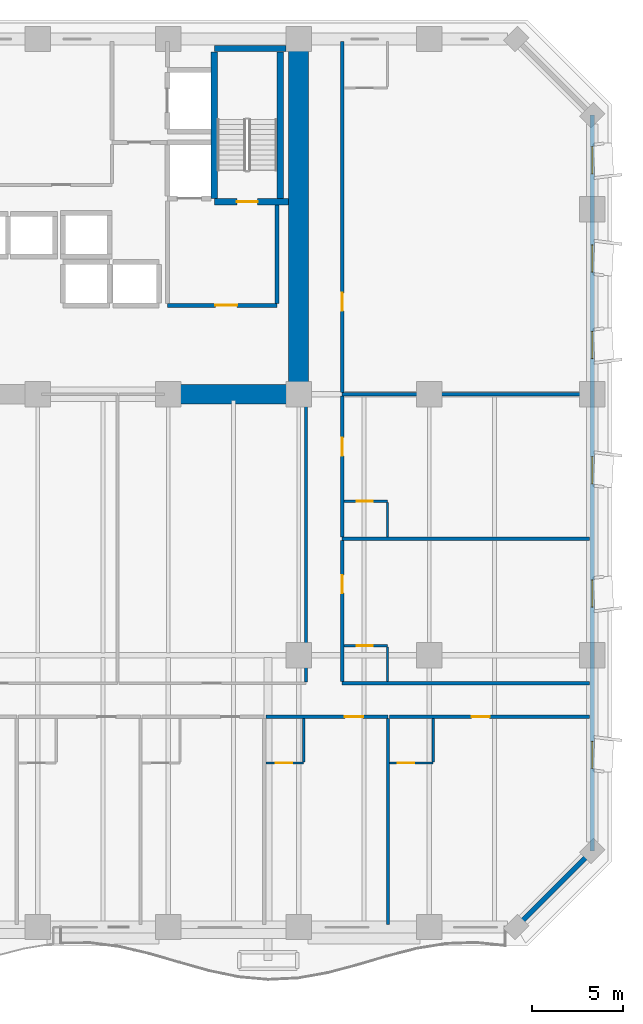
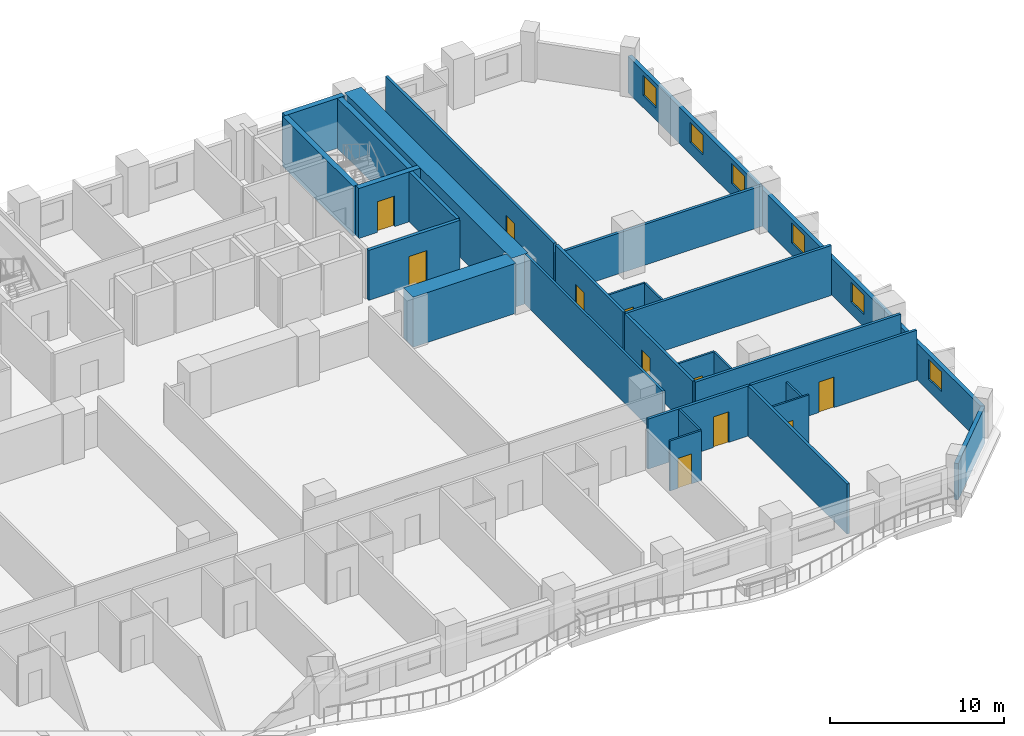
# One storey, part 10 of 15: 28 walls, 11 doors, 6 windows, 17 openings.
"""IFC4 building model written with IfcOpenShell, lengths in metres."""

from ifc_helpers import new_model, si_unit, direction, frame, frame_2d, origin, place, context, subcontext, project, spatial, rectangle, extrude, material, layer, layer_set, type_object, element, fill, save


model = new_model("IFC4")

# Units and contexts
model_context = context("Model", 3, precision=1e-05, world=origin(), true_north=direction((0.0, 1.0)))
body_context = subcontext(model_context, "Body", "Model", "MODEL_VIEW")
ifc_project = project(units=[si_unit("LENGTHUNIT", "METRE"), si_unit("AREAUNIT", "SQUARE_METRE"), si_unit("VOLUMEUNIT", "CUBIC_METRE"), si_unit("PLANEANGLEUNIT", "RADIAN"), si_unit("MASSUNIT", "GRAM", prefix="KILO")], contexts=[model_context])

# Site, building, storey
site_placement = place(None, origin())
site = spatial("IfcSite", under=ifc_project, at=site_placement, CompositionType="ELEMENT")
building_placement = place(site_placement, origin())
building = spatial("IfcBuilding", under=site, at=building_placement, Name="Kaelvorn Grand Hotel", CompositionType="ELEMENT")
storey_placement = place(building_placement, frame((0.0, 0.0, 53.89990234375)))
storey = spatial("IfcBuildingStorey", under=building, at=storey_placement, Name="L11", CompositionType="ELEMENT", Elevation=53.89990234375)

# Walls
ifc_material_1 = material(Name="Concrete C80/95", Category="concrete")
ifc_layer_1 = layer(ifc_material_1, 1.10009765625)
ifc_layer_set_1 = layer_set([ifc_layer_1], Name="Concrete C80/95")
wall_type_1 = type_object("IfcWallType", Name="WL-CORE-1100-C80", PredefinedType="SHEAR", material=ifc_layer_set_1)
wall_1_placement = place(storey_placement, frame((67.800048828125, 29.39990234375, 0.0), z_axis=(0.0, 0.0, 1.0), x_axis=(0.0, 1.0, 0.0)))
element("IfcWall", 1, at=wall_1_placement, inside=storey, type_object=wall_type_1, Name="L11 Rear-Core East Shear Wall", PredefinedType="SHEAR", context=body_context, shape_type="SweptSolid", body=[
    extrude(rectangle(XDim=19.2001953125, YDim=1.10009765625, at=frame_2d((9.60009765625, 0.0))), origin(), (0.0, 0.0, 1.0), 3.510009765625),
])
wall_2_placement = place(storey_placement, frame((60.39990234375, 29.39990234375, 0.0), z_axis=(0.0, 0.0, 1.0), x_axis=(1.0, 0.0, 0.0)))
element("IfcWall", 2, at=wall_2_placement, inside=storey, type_object=wall_type_1, Name="L11 Rear-Core Coupled Shear Pier S4", PredefinedType="SHEAR", context=body_context, shape_type="SweptSolid", body=[
    extrude(rectangle(XDim=6.84521484375, YDim=1.10009765625, at=frame_2d((3.422607421875, 0.0))), origin(), (0.0, 0.0, 1.0), 3.510009765625),
])
ifc_material_2 = material(Name="Concrete C40/50", Category="concrete")
ifc_layer_2 = layer(ifc_material_2, 0.260009765625)
ifc_layer_set_2 = layer_set([ifc_layer_2], Name="Concrete C40/50")
wall_type_2 = type_object("IfcWallType", Name="WL-EXT-260-C40", PredefinedType="SOLIDWALL", material=ifc_layer_set_2)
wall_3_placement = place(storey_placement, frame((79.800048828125, 0.0, 0.0), z_axis=(0.0, 0.0, 1.0), x_axis=(0.707106781187, 0.707106781187, 0.0)))
element("IfcWall", 3, at=wall_3_placement, inside=storey, type_object=wall_type_2, Name="L11 Exterior Architectural Concrete Wall 02", PredefinedType="SOLIDWALL", context=body_context, shape_type="SweptSolid", body=[
    extrude(rectangle(XDim=5.939697265625, YDim=0.260009765625, at=frame_2d((2.9697265625, 0.0))), origin(), (0.0, 0.0, 1.0), 2.56005859375),
])

# Wall, openings, windows
wall_4_placement = place(storey_placement, frame((84.0, 4.199951171875, 0.0), z_axis=(0.0, 0.0, 1.0), x_axis=(0.0, 1.0, 0.0)))
wall_4 = element("IfcWall", 4, at=wall_4_placement, inside=storey, type_object=wall_type_2, Name="L11 Exterior Architectural Concrete Wall 03", PredefinedType="SOLIDWALL", context=body_context, shape_type="SweptSolid", body=[
    extrude(rectangle(XDim=40.60009765625, YDim=0.260009765625, at=frame_2d((20.300048828125, 0.0))), origin(), (0.0, 0.0, 1.0), 2.56005859375),
])
opening_1_placement = place(wall_4_placement, frame((4.550048828125, 0.0, 0.85009765625)))
opening_1 = element("IfcOpeningElement", 5, at=opening_1_placement, cuts=wall_4, Name="Opening W10", PredefinedType="OPENING", context=body_context, shape_type="SweptSolid", body=[
    extrude(rectangle(XDim=1.5, YDim=1.39990234375, at=frame_2d((0.75, 0.699951171875))), frame((0.0, 0.14013671875, 0.0), z_axis=(0.0, -1.0, 0.0), x_axis=(1.0, 0.0, 0.0)), (0.0, 0.0, 1.0), 0.280029296875),
])
opening_2_placement = place(wall_4_placement, frame((13.4599609375, 0.0, 0.85009765625)))
opening_2 = element("IfcOpeningElement", 6, at=opening_2_placement, cuts=wall_4, Name="Opening W10", PredefinedType="OPENING", context=body_context, shape_type="SweptSolid", body=[
    extrude(rectangle(XDim=1.5, YDim=1.39990234375, at=frame_2d((0.75, 0.699951171875))), frame((0.0, 0.14013671875, 0.0), z_axis=(0.0, -1.0, 0.0), x_axis=(1.0, 0.0, 0.0)), (0.0, 0.0, 1.0), 0.280029296875),
])
opening_3_placement = place(wall_4_placement, frame((20.260009765625, 0.0, 0.85009765625)))
opening_3 = element("IfcOpeningElement", 7, at=opening_3_placement, cuts=wall_4, Name="Opening W10", PredefinedType="OPENING", context=body_context, shape_type="SweptSolid", body=[
    extrude(rectangle(XDim=1.5, YDim=1.39990234375, at=frame_2d((0.75, 0.699951171875))), frame((0.0, 0.14013671875, 0.0), z_axis=(0.0, -1.0, 0.0), x_axis=(1.0, 0.0, 0.0)), (0.0, 0.0, 1.0), 0.280029296875),
])
opening_4_placement = place(wall_4_placement, frame((27.1650390625, 0.0, 0.85009765625)))
opening_4 = element("IfcOpeningElement", 8, at=opening_4_placement, cuts=wall_4, Name="Opening W10", PredefinedType="OPENING", context=body_context, shape_type="SweptSolid", body=[
    extrude(rectangle(XDim=1.5, YDim=1.39990234375, at=frame_2d((0.75, 0.699951171875))), frame((0.0, 0.14013671875, 0.0), z_axis=(0.0, -1.0, 0.0), x_axis=(1.0, 0.0, 0.0)), (0.0, 0.0, 1.0), 0.280029296875),
])
opening_5_placement = place(wall_4_placement, frame((31.93505859375, 0.0, 0.85009765625)))
opening_5 = element("IfcOpeningElement", 9, at=opening_5_placement, cuts=wall_4, Name="Opening W10", PredefinedType="OPENING", context=body_context, shape_type="SweptSolid", body=[
    extrude(rectangle(XDim=1.5, YDim=1.39990234375, at=frame_2d((0.75, 0.699951171875))), frame((0.0, 0.14013671875, 0.0), z_axis=(0.0, -1.0, 0.0), x_axis=(1.0, 0.0, 0.0)), (0.0, 0.0, 1.0), 0.280029296875),
])
opening_6_placement = place(wall_4_placement, frame((37.364990234375, 0.0, 0.85009765625)))
opening_6 = element("IfcOpeningElement", 10, at=opening_6_placement, cuts=wall_4, Name="Opening W10", PredefinedType="OPENING", context=body_context, shape_type="SweptSolid", body=[
    extrude(rectangle(XDim=1.5, YDim=1.39990234375, at=frame_2d((0.75, 0.699951171875))), frame((0.0, 0.14013671875, 0.0), z_axis=(0.0, -1.0, 0.0), x_axis=(1.0, 0.0, 0.0)), (0.0, 0.0, 1.0), 0.280029296875),
])
ifc_material_3 = material(Name="Laminated Low-E Glass", Category="glass")
window_type = type_object("IfcWindowType", Name="WIN-COR-1500x1400", PartitioningType="SINGLE_PANEL", PredefinedType="WINDOW", material=ifc_material_3)
window_1_placement = place(opening_1_placement, origin())
window_1 = element("IfcWindow", 11, at=window_1_placement, inside=storey, type_object=window_type, Name="L11 E Wing Tilted-Frame Ribbon Window E01", OverallHeight=1.39990234375, OverallWidth=1.5, PartitioningType="SINGLE_PANEL", PredefinedType="WINDOW", context=body_context, shape_type="SweptSolid", body=[
    extrude(rectangle(XDim=1.5, YDim=1.39990234375, at=frame_2d((0.75, 0.699951171875))), frame((0.0, 0.030029296875, 0.0), z_axis=(0.0, -1.0, 0.0), x_axis=(1.0, 0.0, 0.0)), (0.0, 0.0, 1.0), 0.06005859375),
])
fill(opening_1, window_1)
window_2_placement = place(opening_2_placement, origin())
window_2 = element("IfcWindow", 12, at=window_2_placement, inside=storey, type_object=window_type, Name="L11 E Wing Tilted-Frame Ribbon Window E02", OverallHeight=1.39990234375, OverallWidth=1.5, PartitioningType="SINGLE_PANEL", PredefinedType="WINDOW", context=body_context, shape_type="SweptSolid", body=[
    extrude(rectangle(XDim=1.5, YDim=1.39990234375, at=frame_2d((0.75, 0.699951171875))), frame((0.0, 0.030029296875, 0.0), z_axis=(0.0, -1.0, 0.0), x_axis=(1.0, 0.0, 0.0)), (0.0, 0.0, 1.0), 0.06005859375),
])
fill(opening_2, window_2)
window_3_placement = place(opening_3_placement, origin())
window_3 = element("IfcWindow", 13, at=window_3_placement, inside=storey, type_object=window_type, Name="L11 E Wing Tilted-Frame Ribbon Window E03", OverallHeight=1.39990234375, OverallWidth=1.5, PartitioningType="SINGLE_PANEL", PredefinedType="WINDOW", context=body_context, shape_type="SweptSolid", body=[
    extrude(rectangle(XDim=1.5, YDim=1.39990234375, at=frame_2d((0.75, 0.699951171875))), frame((0.0, 0.030029296875, 0.0), z_axis=(0.0, -1.0, 0.0), x_axis=(1.0, 0.0, 0.0)), (0.0, 0.0, 1.0), 0.06005859375),
])
fill(opening_3, window_3)
window_4_placement = place(opening_4_placement, origin())
window_4 = element("IfcWindow", 14, at=window_4_placement, inside=storey, type_object=window_type, Name="L11 E Wing Tilted-Frame Ribbon Window E04", OverallHeight=1.39990234375, OverallWidth=1.5, PartitioningType="SINGLE_PANEL", PredefinedType="WINDOW", context=body_context, shape_type="SweptSolid", body=[
    extrude(rectangle(XDim=1.5, YDim=1.39990234375, at=frame_2d((0.75, 0.699951171875))), frame((0.0, 0.030029296875, 0.0), z_axis=(0.0, -1.0, 0.0), x_axis=(1.0, 0.0, 0.0)), (0.0, 0.0, 1.0), 0.06005859375),
])
fill(opening_4, window_4)
window_5_placement = place(opening_5_placement, origin())
window_5 = element("IfcWindow", 15, at=window_5_placement, inside=storey, type_object=window_type, Name="L11 E Wing Tilted-Frame Ribbon Window E05", OverallHeight=1.39990234375, OverallWidth=1.5, PartitioningType="SINGLE_PANEL", PredefinedType="WINDOW", context=body_context, shape_type="SweptSolid", body=[
    extrude(rectangle(XDim=1.5, YDim=1.39990234375, at=frame_2d((0.75, 0.699951171875))), frame((0.0, 0.030029296875, 0.0), z_axis=(0.0, -1.0, 0.0), x_axis=(1.0, 0.0, 0.0)), (0.0, 0.0, 1.0), 0.06005859375),
])
fill(opening_5, window_5)
window_6_placement = place(opening_6_placement, origin())
window_6 = element("IfcWindow", 16, at=window_6_placement, inside=storey, type_object=window_type, Name="L11 E Wing Tilted-Frame Ribbon Window E06", OverallHeight=1.39990234375, OverallWidth=1.5, PartitioningType="SINGLE_PANEL", PredefinedType="WINDOW", context=body_context, shape_type="SweptSolid", body=[
    extrude(rectangle(XDim=1.5, YDim=1.39990234375, at=frame_2d((0.75, 0.699951171875))), frame((0.0, 0.030029296875, 0.0), z_axis=(0.0, -1.0, 0.0), x_axis=(1.0, 0.0, 0.0)), (0.0, 0.0, 1.0), 0.06005859375),
])
fill(opening_6, window_6)

# Wall, opening, door
ifc_material_4 = material(Name="Moisture-Resistant Tile & Stud Board")
ifc_layer_3 = layer(ifc_material_4, 0.125)
ifc_layer_set_3 = layer_set([ifc_layer_3], Name="Moisture-Resistant Tile & Stud Board")
wall_type_3 = type_object("IfcWallType", Name="WL-PART-125-WET", PredefinedType="PARTITIONING", material=ifc_layer_set_3)
wall_5_placement = place(storey_placement, frame((65.990478515625, 9.050048828125, 0.0), z_axis=(0.0, 0.0, 1.0), x_axis=(1.0, 0.0, 0.0)))
wall_5 = element("IfcWall", 17, at=wall_5_placement, inside=storey, type_object=wall_type_3, Name="L11 En-suite Bathroom L11-10 S Partition", PredefinedType="PARTITIONING", context=body_context, shape_type="SweptSolid", body=[
    extrude(rectangle(XDim=2.0849609375, YDim=0.125, at=frame_2d((1.04248046875, 0.0))), origin(), (0.0, 0.0, 1.0), 3.510009765625),
])
opening_7_placement = place(wall_5_placement, frame((0.544921875, 0.0, 0.0)))
opening_7 = element("IfcOpeningElement", 18, at=opening_7_placement, cuts=wall_5, Name="Opening DI4", PredefinedType="OPENING", context=body_context, shape_type="SweptSolid", body=[
    extrude(rectangle(XDim=0.89990234375, YDim=2.10009765625, at=frame_2d((0.449951171875, 1.050048828125))), frame((0.0, 0.072509765625, 0.0), z_axis=(0.0, -1.0, 0.0), x_axis=(1.0, 0.0, 0.0)), (0.0, 0.0, 1.0), 0.14501953125),
])
ifc_material_5 = material(Name="Timber Veneer Leaf", Category="wood")
door_type_1 = type_object("IfcDoorType", Name="DR-INT-BATH-900x2100", OperationType="NOTDEFINED", PredefinedType="DOOR", material=ifc_material_5)
door_1_placement = place(opening_7_placement, origin())
door_1 = element("IfcDoor", 19, at=door_1_placement, inside=storey, type_object=door_type_1, Name="L11 En-suite Bathroom L11-10 Door", OperationType="SINGLE_SWING_RIGHT", OverallHeight=2.10009765625, OverallWidth=0.89990234375, PredefinedType="DOOR", context=body_context, shape_type="SweptSolid", body=[
    extrude(rectangle(XDim=0.89990234375, YDim=2.10009765625, at=frame_2d((0.449951171875, 1.050048828125))), frame((0.0, 0.02490234375, 0.0), z_axis=(0.0, -1.0, 0.0), x_axis=(1.0, 0.0, 0.0)), (0.0, 0.0, 1.0), 0.050048828125),
])
fill(opening_7, door_1)

# Wall
wall_6_placement = place(storey_placement, frame((68.075439453125, 9.117431640625, 0.0), z_axis=(0.0, 0.0, 1.0), x_axis=(0.0, 1.0, 0.0)))
element("IfcWall", 20, at=wall_6_placement, inside=storey, type_object=wall_type_3, Name="L11 En-suite Bathroom L11-10 E Partition", PredefinedType="PARTITIONING", context=body_context, shape_type="SweptSolid", body=[
    extrude(rectangle(XDim=2.387451171875, YDim=0.125, at=frame_2d((1.19384765625, 0.0))), origin(), (0.0, 0.0, 1.0), 3.510009765625),
])

# Wall, opening, door
wall_7_placement = place(storey_placement, frame((72.817626953125, 9.050048828125, 0.0), z_axis=(0.0, 0.0, 1.0), x_axis=(1.0, 0.0, 0.0)))
wall_7 = element("IfcWall", 21, at=wall_7_placement, inside=storey, type_object=wall_type_3, Name="L11 En-suite Bathroom L11-11 S Partition", PredefinedType="PARTITIONING", context=body_context, shape_type="SweptSolid", body=[
    extrude(rectangle(XDim=2.405029296875, YDim=0.125, at=frame_2d((1.20263671875, 0.0))), origin(), (0.0, 0.0, 1.0), 3.510009765625),
])
opening_8_placement = place(wall_7_placement, frame((0.455078125, 0.0, 0.0)))
opening_8 = element("IfcOpeningElement", 22, at=opening_8_placement, cuts=wall_7, Name="Opening DI4", PredefinedType="OPENING", context=body_context, shape_type="SweptSolid", body=[
    extrude(rectangle(XDim=0.89990234375, YDim=2.10009765625, at=frame_2d((0.449951171875, 1.050048828125))), frame((0.0, 0.072509765625, 0.0), z_axis=(0.0, -1.0, 0.0), x_axis=(1.0, 0.0, 0.0)), (0.0, 0.0, 1.0), 0.14501953125),
])
door_2_placement = place(opening_8_placement, origin())
door_2 = element("IfcDoor", 23, at=door_2_placement, inside=storey, type_object=door_type_1, Name="L11 En-suite Bathroom L11-11 Door", OperationType="SINGLE_SWING_RIGHT", OverallHeight=2.10009765625, OverallWidth=0.89990234375, PredefinedType="DOOR", context=body_context, shape_type="SweptSolid", body=[
    extrude(rectangle(XDim=0.89990234375, YDim=2.10009765625, at=frame_2d((0.449951171875, 1.050048828125))), frame((0.0, 0.02490234375, 0.0), z_axis=(0.0, -1.0, 0.0), x_axis=(1.0, 0.0, 0.0)), (0.0, 0.0, 1.0), 0.050048828125),
])
fill(opening_8, door_2)

# Wall
wall_8_placement = place(storey_placement, frame((75.22265625, 9.117431640625, 0.0), z_axis=(0.0, 0.0, 1.0), x_axis=(0.0, 1.0, 0.0)))
element("IfcWall", 24, at=wall_8_placement, inside=storey, type_object=wall_type_3, Name="L11 En-suite Bathroom L11-11 E Partition", PredefinedType="PARTITIONING", context=body_context, shape_type="SweptSolid", body=[
    extrude(rectangle(XDim=2.387451171875, YDim=0.125, at=frame_2d((1.19384765625, 0.0))), origin(), (0.0, 0.0, 1.0), 2.89794921875),
])

# Wall, opening, door
wall_9_placement = place(storey_placement, frame((70.294921875, 15.52001953125, 0.0), z_axis=(0.0, 0.0, 1.0), x_axis=(1.0, 0.0, 0.0)))
wall_9 = element("IfcWall", 25, at=wall_9_placement, inside=storey, type_object=wall_type_3, Name="L11 En-suite Bathroom L11-14 N Partition", PredefinedType="PARTITIONING", context=body_context, shape_type="SweptSolid", body=[
    extrude(rectangle(XDim=2.405029296875, YDim=0.125, at=frame_2d((1.20263671875, 0.0))), origin(), (0.0, 0.0, 1.0), 3.510009765625),
])
opening_9_placement = place(wall_9_placement, frame((0.705078125, 0.0, 0.0)))
opening_9 = element("IfcOpeningElement", 26, at=opening_9_placement, cuts=wall_9, Name="Opening DI4", PredefinedType="OPENING", context=body_context, shape_type="SweptSolid", body=[
    extrude(rectangle(XDim=0.89990234375, YDim=2.10009765625, at=frame_2d((0.449951171875, 1.050048828125))), frame((0.0, 0.072509765625, 0.0), z_axis=(0.0, -1.0, 0.0), x_axis=(1.0, 0.0, 0.0)), (0.0, 0.0, 1.0), 0.14501953125),
])
door_3_placement = place(opening_9_placement, origin())
door_3 = element("IfcDoor", 27, at=door_3_placement, inside=storey, type_object=door_type_1, Name="L11 En-suite Bathroom L11-14 Door", OperationType="SINGLE_SWING_RIGHT", OverallHeight=2.10009765625, OverallWidth=0.89990234375, PredefinedType="DOOR", context=body_context, shape_type="SweptSolid", body=[
    extrude(rectangle(XDim=0.89990234375, YDim=2.10009765625, at=frame_2d((0.449951171875, 1.050048828125))), frame((0.0, 0.02490234375, 0.0), z_axis=(0.0, -1.0, 0.0), x_axis=(1.0, 0.0, 0.0)), (0.0, 0.0, 1.0), 0.050048828125),
])
fill(opening_9, door_3)

# Wall
wall_10_placement = place(storey_placement, frame((72.699951171875, 13.544921875, 0.0), z_axis=(0.0, 0.0, 1.0), x_axis=(0.0, 1.0, 0.0)))
element("IfcWall", 28, at=wall_10_placement, inside=storey, type_object=wall_type_3, Name="L11 En-suite Bathroom L11-14 E Partition", PredefinedType="PARTITIONING", context=body_context, shape_type="SweptSolid", body=[
    extrude(rectangle(XDim=1.907470703125, YDim=0.125, at=frame_2d((0.95361328125, 0.0))), origin(), (0.0, 0.0, 1.0), 3.510009765625),
])

# Wall, opening, door
wall_11_placement = place(storey_placement, frame((70.294921875, 23.489990234375, 0.0), z_axis=(0.0, 0.0, 1.0), x_axis=(1.0, 0.0, 0.0)))
wall_11 = element("IfcWall", 29, at=wall_11_placement, inside=storey, type_object=wall_type_3, Name="L11 En-suite Bathroom L11-15 N Partition", PredefinedType="PARTITIONING", context=body_context, shape_type="SweptSolid", body=[
    extrude(rectangle(XDim=2.405029296875, YDim=0.125, at=frame_2d((1.20263671875, 0.0))), origin(), (0.0, 0.0, 1.0), 3.510009765625),
])
opening_10_placement = place(wall_11_placement, frame((0.705078125, 0.0, 0.0)))
opening_10 = element("IfcOpeningElement", 30, at=opening_10_placement, cuts=wall_11, Name="Opening DI4", PredefinedType="OPENING", context=body_context, shape_type="SweptSolid", body=[
    extrude(rectangle(XDim=0.89990234375, YDim=2.10009765625, at=frame_2d((0.449951171875, 1.050048828125))), frame((0.0, 0.072509765625, 0.0), z_axis=(0.0, -1.0, 0.0), x_axis=(1.0, 0.0, 0.0)), (0.0, 0.0, 1.0), 0.14501953125),
])
door_4_placement = place(opening_10_placement, origin())
door_4 = element("IfcDoor", 31, at=door_4_placement, inside=storey, type_object=door_type_1, Name="L11 En-suite Bathroom L11-15 Door", OperationType="SINGLE_SWING_RIGHT", OverallHeight=2.10009765625, OverallWidth=0.89990234375, PredefinedType="DOOR", context=body_context, shape_type="SweptSolid", body=[
    extrude(rectangle(XDim=0.89990234375, YDim=2.10009765625, at=frame_2d((0.449951171875, 1.050048828125))), frame((0.0, 0.02490234375, 0.0), z_axis=(0.0, -1.0, 0.0), x_axis=(1.0, 0.0, 0.0)), (0.0, 0.0, 1.0), 0.050048828125),
])
fill(opening_10, door_4)

# Walls
wall_12_placement = place(storey_placement, frame((72.699951171875, 21.514892578125, 0.0), z_axis=(0.0, 0.0, 1.0), x_axis=(0.0, 1.0, 0.0)))
element("IfcWall", 32, at=wall_12_placement, inside=storey, type_object=wall_type_3, Name="L11 En-suite Bathroom L11-15 E Partition", PredefinedType="PARTITIONING", context=body_context, shape_type="SweptSolid", body=[
    extrude(rectangle(XDim=1.90771484375, YDim=0.125, at=frame_2d((0.953857421875, 0.0))), origin(), (0.0, 0.0, 1.0), 3.510009765625),
])
ifc_material_6 = material(Name="Acoustic Gypsum & Stud Partition")
ifc_layer_4 = layer(ifc_material_6, 0.14990234375)
ifc_layer_set_4 = layer_set([ifc_layer_4], Name="Acoustic Gypsum & Stud Partition")
wall_type_4 = type_object("IfcWallType", Name="WL-PART-150-EI60", PredefinedType="PARTITIONING", material=ifc_layer_set_4)
wall_13_placement = place(storey_placement, frame((68.199951171875, 13.530029296875, 0.0), z_axis=(0.0, 0.0, 1.0), x_axis=(0.0, 1.0, 0.0)))
element("IfcWall", 33, at=wall_13_placement, inside=storey, type_object=wall_type_4, Name="L11 Concierge Admin Office E Partition", PredefinedType="PARTITIONING", context=body_context, shape_type="SweptSolid", body=[
    extrude(rectangle(XDim=15.85986328125, YDim=0.14990234375, at=frame_2d((7.929931640625, 0.0))), origin(), (0.0, 0.0, 1.0), 3.510009765625),
])

# Wall, opening, door
ifc_layer_5 = layer(ifc_material_6, 0.179931640625)
ifc_layer_set_5 = layer_set([ifc_layer_5], Name="Acoustic Gypsum & Stud Partition")
wall_type_5 = type_object("IfcWallType", Name="WL-PART-180-EI60", PredefinedType="PARTITIONING", material=ifc_layer_set_5)
wall_14_placement = place(storey_placement, frame((65.990478515625, 11.60009765625, 0.0), z_axis=(0.0, 0.0, 1.0), x_axis=(1.0, 0.0, 0.0)))
wall_14 = element("IfcWall", 34, at=wall_14_placement, inside=storey, type_object=wall_type_5, Name="L11 Deluxe Panoramic Suite L11-10 N Partition", PredefinedType="PARTITIONING", context=body_context, shape_type="SweptSolid", body=[
    extrude(rectangle(XDim=6.732177734375, YDim=0.179931640625, at=frame_2d((3.3662109375, 0.0))), origin(), (0.0, 0.0, 1.0), 3.510009765625),
])
opening_11_placement = place(wall_14_placement, frame((4.358642578125, 0.0, 0.0)))
opening_11 = element("IfcOpeningElement", 35, at=opening_11_placement, cuts=wall_14, Name="Opening DI3", PredefinedType="OPENING", context=body_context, shape_type="SweptSolid", body=[
    extrude(rectangle(XDim=1.0, YDim=2.14990234375, at=frame_2d((0.5, 1.074951171875))), frame((0.0, 0.10009765625, 0.0), z_axis=(0.0, -1.0, 0.0), x_axis=(1.0, 0.0, 0.0)), (0.0, 0.0, 1.0), 0.199951171875),
])
ifc_material_7 = material(Name="Timber Veneer Fire Leaf", Category="wood")
door_type_2 = type_object("IfcDoorType", Name="DR-INT-GUEST-1000x2150", OperationType="NOTDEFINED", PredefinedType="DOOR", material=ifc_material_7)
door_5_placement = place(opening_11_placement, origin())
door_5 = element("IfcDoor", 36, at=door_5_placement, inside=storey, type_object=door_type_2, Name="L11 Deluxe Panoramic Suite L11-10 Door", OperationType="SINGLE_SWING_LEFT", OverallHeight=2.14990234375, OverallWidth=1.0, PredefinedType="DOOR", context=body_context, shape_type="SweptSolid", body=[
    extrude(rectangle(XDim=1.0, YDim=2.14990234375, at=frame_2d((0.5, 1.074951171875))), frame((0.0, 0.02490234375, 0.0), z_axis=(0.0, -1.0, 0.0), x_axis=(1.0, 0.0, 0.0)), (0.0, 0.0, 1.0), 0.050048828125),
])
fill(opening_11, door_5)

# Wall
wall_15_placement = place(storey_placement, frame((72.72265625, 0.14990234375, 0.0), z_axis=(0.0, 0.0, 1.0), x_axis=(0.0, 1.0, 0.0)))
element("IfcWall", 37, at=wall_15_placement, inside=storey, type_object=wall_type_5, Name="L11 Deluxe Panoramic Suite L11-10 E Partition", PredefinedType="PARTITIONING", context=body_context, shape_type="SweptSolid", body=[
    extrude(rectangle(XDim=11.35498046875, YDim=0.179931640625, at=frame_2d((5.677490234375, 0.0))), origin(), (0.0, 0.0, 1.0), 3.510009765625),
])

# Wall, opening, door
wall_16_placement = place(storey_placement, frame((72.817626953125, 11.60009765625, 0.0), z_axis=(0.0, 0.0, 1.0), x_axis=(1.0, 0.0, 0.0)))
wall_16 = element("IfcWall", 38, at=wall_16_placement, inside=storey, type_object=wall_type_5, Name="L11 Deluxe Panoramic Suite L11-11 N Partition", PredefinedType="PARTITIONING", context=body_context, shape_type="SweptSolid", body=[
    extrude(rectangle(XDim=11.032470703125, YDim=0.179931640625, at=frame_2d((5.51611328125, 0.0))), origin(), (0.0, 0.0, 1.0), 3.510009765625),
])
opening_12_placement = place(wall_16_placement, frame((4.5185546875, 0.0, 0.0)))
opening_12 = element("IfcOpeningElement", 39, at=opening_12_placement, cuts=wall_16, Name="Opening DI3", PredefinedType="OPENING", context=body_context, shape_type="SweptSolid", body=[
    extrude(rectangle(XDim=1.0, YDim=2.14990234375, at=frame_2d((0.5, 1.074951171875))), frame((0.0, 0.10009765625, 0.0), z_axis=(0.0, -1.0, 0.0), x_axis=(1.0, 0.0, 0.0)), (0.0, 0.0, 1.0), 0.199951171875),
])
door_6_placement = place(opening_12_placement, origin())
door_6 = element("IfcDoor", 40, at=door_6_placement, inside=storey, type_object=door_type_2, Name="L11 Deluxe Panoramic Suite L11-11 Door", OperationType="SINGLE_SWING_LEFT", OverallHeight=2.14990234375, OverallWidth=1.0, PredefinedType="DOOR", context=body_context, shape_type="SweptSolid", body=[
    extrude(rectangle(XDim=1.0, YDim=2.14990234375, at=frame_2d((0.5, 1.074951171875))), frame((0.0, 0.02490234375, 0.0), z_axis=(0.0, -1.0, 0.0), x_axis=(1.0, 0.0, 0.0)), (0.0, 0.0, 1.0), 0.050048828125),
])
fill(opening_12, door_6)

# Walls
for number, where, z_axis, x_axis, name in (
    (41, (70.199951171875, 13.449951171875, 0.0), (0.0, 0.0, 1.0), (1.0, 0.0, 0.0), "L11 East Wing Panoramic Suite L11-14 S Partition"),
    (42, (70.199951171875, 21.419921875, 0.0), (0.0, 0.0, 1.0), (1.0, 0.0, 0.0), "L11 East Wing Panoramic Suite L11-14 N Partition"),
):
    element("IfcWall", number, at=place(storey_placement, frame(where, z_axis=z_axis, x_axis=x_axis)), inside=storey, type_object=wall_type_5, Name=name, PredefinedType="PARTITIONING", context=body_context, shape_type="SweptSolid", body=[
        extrude(rectangle(XDim=13.650146484375, YDim=0.179931640625, at=frame_2d((6.8251953125, 0.0))), origin(), (0.0, 0.0, 1.0), 3.510009765625),
    ])

# Wall, opening, door
wall_17_placement = place(storey_placement, frame((70.199951171875, 13.544921875, 0.0), z_axis=(0.0, 0.0, 1.0), x_axis=(0.0, 1.0, 0.0)))
wall_17 = element("IfcWall", 43, at=wall_17_placement, inside=storey, type_object=wall_type_5, Name="L11 East Wing Panoramic Suite L11-14 W Partition", PredefinedType="PARTITIONING", context=body_context, shape_type="SweptSolid", body=[
    extrude(rectangle(XDim=7.780029296875, YDim=0.179931640625, at=frame_2d((3.89013671875, 0.0))), origin(), (0.0, 0.0, 1.0), 3.510009765625),
])
opening_13_placement = place(wall_17_placement, frame((4.875, 0.0, 0.0)))
opening_13 = element("IfcOpeningElement", 44, at=opening_13_placement, cuts=wall_17, Name="Opening DI3", PredefinedType="OPENING", context=body_context, shape_type="SweptSolid", body=[
    extrude(rectangle(XDim=1.0, YDim=2.14990234375, at=frame_2d((0.5, 1.074951171875))), frame((0.0, 0.10009765625, 0.0), z_axis=(0.0, -1.0, 0.0), x_axis=(1.0, 0.0, 0.0)), (0.0, 0.0, 1.0), 0.199951171875),
])
door_7_placement = place(opening_13_placement, origin())
door_7 = element("IfcDoor", 45, at=door_7_placement, inside=storey, type_object=door_type_2, Name="L11 East Wing Panoramic Suite L11-14 Door", OperationType="SINGLE_SWING_LEFT", OverallHeight=2.14990234375, OverallWidth=1.0, PredefinedType="DOOR", context=body_context, shape_type="SweptSolid", body=[
    extrude(rectangle(XDim=1.0, YDim=2.14990234375, at=frame_2d((0.5, 1.074951171875))), frame((0.0, 0.02490234375, 0.0), z_axis=(0.0, -1.0, 0.0), x_axis=(1.0, 0.0, 0.0)), (0.0, 0.0, 1.0), 0.050048828125),
])
fill(opening_13, door_7)

# Wall
wall_18_placement = place(storey_placement, frame((70.199951171875, 29.39990234375, 0.0), z_axis=(0.0, 0.0, 1.0), x_axis=(1.0, 0.0, 0.0)))
element("IfcWall", 46, at=wall_18_placement, inside=storey, type_object=wall_type_5, Name="L11 East Mid-Wing Suite L11-15 N Partition", PredefinedType="PARTITIONING", context=body_context, shape_type="SweptSolid", body=[
    extrude(rectangle(XDim=13.650146484375, YDim=0.179931640625, at=frame_2d((6.8251953125, 0.0))), origin(), (0.0, 0.0, 1.0), 2.860107421875),
])

# Wall, opening, door
wall_19_placement = place(storey_placement, frame((70.199951171875, 21.514892578125, 0.0), z_axis=(0.0, 0.0, 1.0), x_axis=(0.0, 1.0, 0.0)))
wall_19 = element("IfcWall", 47, at=wall_19_placement, inside=storey, type_object=wall_type_5, Name="L11 East Mid-Wing Suite L11-15 W Partition", PredefinedType="PARTITIONING", context=body_context, shape_type="SweptSolid", body=[
    extrude(rectangle(XDim=7.7900390625, YDim=0.179931640625, at=frame_2d((3.89501953125, 0.0))), origin(), (0.0, 0.0, 1.0), 3.510009765625),
])
opening_14_placement = place(wall_19_placement, frame((4.489990234375, 0.0, 0.0)))
opening_14 = element("IfcOpeningElement", 48, at=opening_14_placement, cuts=wall_19, Name="Opening DI3", PredefinedType="OPENING", context=body_context, shape_type="SweptSolid", body=[
    extrude(rectangle(XDim=1.0, YDim=2.14990234375, at=frame_2d((0.5, 1.074951171875))), frame((0.0, 0.10009765625, 0.0), z_axis=(0.0, -1.0, 0.0), x_axis=(1.0, 0.0, 0.0)), (0.0, 0.0, 1.0), 0.199951171875),
])
door_8_placement = place(opening_14_placement, origin())
door_8 = element("IfcDoor", 49, at=door_8_placement, inside=storey, type_object=door_type_2, Name="L11 East Mid-Wing Suite L11-15 Door", OperationType="SINGLE_SWING_LEFT", OverallHeight=2.14990234375, OverallWidth=1.0, PredefinedType="DOOR", context=body_context, shape_type="SweptSolid", body=[
    extrude(rectangle(XDim=1.0, YDim=2.14990234375, at=frame_2d((0.5, 1.074951171875))), frame((0.0, 0.02490234375, 0.0), z_axis=(0.0, -1.0, 0.0), x_axis=(1.0, 0.0, 0.0)), (0.0, 0.0, 1.0), 0.050048828125),
])
fill(opening_14, door_8)

wall_20_placement = place(storey_placement, frame((70.199951171875, 29.4951171875, 0.0), z_axis=(0.0, 0.0, 1.0), x_axis=(0.0, 1.0, 0.0)))
wall_20 = element("IfcWall", 50, at=wall_20_placement, inside=storey, type_object=wall_type_5, Name="L11 Presidential Sky Suite L11-16 W Partition", PredefinedType="PARTITIONING", context=body_context, shape_type="SweptSolid", body=[
    extrude(rectangle(XDim=19.35498046875, YDim=0.179931640625, at=frame_2d((9.677490234375, 0.0))), origin(), (0.0, 0.0, 1.0), 3.510009765625),
])
opening_15_placement = place(wall_20_placement, frame((4.5048828125, 0.0, 0.0)))
opening_15 = element("IfcOpeningElement", 51, at=opening_15_placement, cuts=wall_20, Name="Opening DI3", PredefinedType="OPENING", context=body_context, shape_type="SweptSolid", body=[
    extrude(rectangle(XDim=1.0, YDim=2.14990234375, at=frame_2d((0.5, 1.074951171875))), frame((0.0, 0.10009765625, 0.0), z_axis=(0.0, -1.0, 0.0), x_axis=(1.0, 0.0, 0.0)), (0.0, 0.0, 1.0), 0.199951171875),
])
door_9_placement = place(opening_15_placement, origin())
door_9 = element("IfcDoor", 52, at=door_9_placement, inside=storey, type_object=door_type_2, Name="L11 Presidential Sky Suite L11-16 Door", OperationType="SINGLE_SWING_LEFT", OverallHeight=2.14990234375, OverallWidth=1.0, PredefinedType="DOOR", context=body_context, shape_type="SweptSolid", body=[
    extrude(rectangle(XDim=1.0, YDim=2.14990234375, at=frame_2d((0.5, 1.074951171875))), frame((0.0, 0.02490234375, 0.0), z_axis=(0.0, -1.0, 0.0), x_axis=(1.0, 0.0, 0.0)), (0.0, 0.0, 1.0), 0.050048828125),
])
fill(opening_15, door_9)

ifc_layer_6 = layer(ifc_material_2, 0.219970703125)
ifc_layer_set_6 = layer_set([ifc_layer_6], Name="Concrete C40/50")
wall_type_6 = type_object("IfcWallType", Name="WL-PART-220-EI120", PredefinedType="PARTITIONING", material=ifc_layer_set_6)
wall_21_placement = place(storey_placement, frame((60.550048828125, 34.300048828125, 0.0), z_axis=(0.0, 0.0, 1.0), x_axis=(1.0, 0.0, 0.0)))
wall_21 = element("IfcWall", 53, at=wall_21_placement, inside=storey, type_object=wall_type_6, Name="L11 Firefighting Lift Lobby 2 S Partition", PredefinedType="PARTITIONING", context=body_context, shape_type="SweptSolid", body=[
    extrude(rectangle(XDim=6.050048828125, YDim=0.219970703125, at=frame_2d((3.02490234375, 0.0))), origin(), (0.0, 0.0, 1.0), 3.510009765625),
])
opening_16_placement = place(wall_21_placement, frame((2.64990234375, 0.0, 0.0)))
opening_16 = element("IfcOpeningElement", 54, at=opening_16_placement, cuts=wall_21, Name="Opening DI2", PredefinedType="OPENING", context=body_context, shape_type="SweptSolid", body=[
    extrude(rectangle(XDim=1.199951171875, YDim=2.14990234375, at=frame_2d((0.60009765625, 1.074951171875))), frame((0.0, 0.1201171875, 0.0), z_axis=(0.0, -1.0, 0.0), x_axis=(1.0, 0.0, 0.0)), (0.0, 0.0, 1.0), 0.239990234375),
])
door_type_3 = type_object("IfcDoorType", Name="DR-INT-FFLOB-1200x2150", OperationType="NOTDEFINED", PredefinedType="DOOR", material=ifc_material_7)
door_10_placement = place(opening_16_placement, origin())
door_10 = element("IfcDoor", 55, at=door_10_placement, inside=storey, type_object=door_type_3, Name="L11 Firefighting Lift Lobby 2 Door", OperationType="SINGLE_SWING_RIGHT", OverallHeight=2.14990234375, OverallWidth=1.199951171875, PredefinedType="DOOR", context=body_context, shape_type="SweptSolid", body=[
    extrude(rectangle(XDim=1.199951171875, YDim=2.14990234375, at=frame_2d((0.60009765625, 1.074951171875))), frame((0.0, 0.02490234375, 0.0), z_axis=(0.0, -1.0, 0.0), x_axis=(1.0, 0.0, 0.0)), (0.0, 0.0, 1.0), 0.050048828125),
])
fill(opening_16, door_10)

# Wall
wall_22_placement = place(storey_placement, frame((66.60009765625, 34.4150390625, 0.0), z_axis=(0.0, 0.0, 1.0), x_axis=(0.0, 1.0, 0.0)))
element("IfcWall", 56, at=wall_22_placement, inside=storey, type_object=wall_type_6, Name="L11 Firefighting Lift Lobby 2 E Partition", PredefinedType="PARTITIONING", context=body_context, shape_type="SweptSolid", body=[
    extrude(rectangle(XDim=5.429931640625, YDim=0.219970703125, at=frame_2d((2.71484375, 0.0))), origin(), (0.0, 0.0, 1.0), 3.510009765625),
])

# Wall, opening, door
ifc_material_8 = material(Name="Concrete C60/75", Category="concrete")
ifc_layer_7 = layer(ifc_material_8, 0.35009765625)
ifc_layer_set_7 = layer_set([ifc_layer_7], Name="Concrete C60/75")
wall_type_7 = type_object("IfcWallType", Name="WL-SHAFT-350-C60", PredefinedType="SHEAR", material=ifc_layer_set_7)
wall_23_placement = place(storey_placement, frame((63.14501953125, 40.02490234375, 0.0), z_axis=(0.0, 0.0, 1.0), x_axis=(1.0, 0.0, 0.0)))
wall_23 = element("IfcWall", 57, at=wall_23_placement, inside=storey, type_object=wall_type_7, Name="L11 ST3 Stair Shaft South Wall", PredefinedType="SHEAR", context=body_context, shape_type="SweptSolid", body=[
    extrude(rectangle(XDim=4.10009765625, YDim=0.35009765625, at=frame_2d((2.050048828125, 0.0))), origin(), (0.0, 0.0, 1.0), 3.510009765625),
])
opening_17_placement = place(wall_23_placement, frame((1.239990234375, 0.0, 0.0)))
opening_17 = element("IfcOpeningElement", 58, at=opening_17_placement, cuts=wall_23, Name="Opening DI1", PredefinedType="OPENING", context=body_context, shape_type="SweptSolid", body=[
    extrude(rectangle(XDim=1.14990234375, YDim=2.14990234375, at=frame_2d((0.574951171875, 1.074951171875))), frame((0.0, 0.18505859375, 0.0), z_axis=(0.0, -1.0, 0.0), x_axis=(1.0, 0.0, 0.0)), (0.0, 0.0, 1.0), 0.3701171875),
])
door_type_4 = type_object("IfcDoorType", Name="DR-INT-STAIR-1150x2150", OperationType="NOTDEFINED", PredefinedType="DOOR", material=ifc_material_7)
door_11_placement = place(opening_17_placement, origin())
door_11 = element("IfcDoor", 59, at=door_11_placement, inside=storey, type_object=door_type_4, Name="L11 ST3 Exit Stair Fire Door", OperationType="SINGLE_SWING_RIGHT", OverallHeight=2.14990234375, OverallWidth=1.14990234375, PredefinedType="DOOR", context=body_context, shape_type="SweptSolid", body=[
    extrude(rectangle(XDim=1.14990234375, YDim=2.14990234375, at=frame_2d((0.574951171875, 1.074951171875))), frame((0.0, 0.02490234375, 0.0), z_axis=(0.0, -1.0, 0.0), x_axis=(1.0, 0.0, 0.0)), (0.0, 0.0, 1.0), 0.050048828125),
])
fill(opening_17, door_11)

# Walls
wall_24_placement = place(storey_placement, frame((63.14501953125, 48.47509765625, 0.0), z_axis=(0.0, 0.0, 1.0), x_axis=(1.0, 0.0, 0.0)))
element("IfcWall", 60, at=wall_24_placement, inside=storey, type_object=wall_type_7, Name="L11 ST3 Stair Shaft North Wall", PredefinedType="SHEAR", context=body_context, shape_type="SweptSolid", body=[
    extrude(rectangle(XDim=3.949951171875, YDim=0.35009765625, at=frame_2d((1.97509765625, 0.0))), origin(), (0.0, 0.0, 1.0), 3.510009765625),
])
for number, where, z_axis, x_axis, name in (
    (61, (63.14501953125, 40.205078125, 0.0), (0.0, 0.0, 1.0), (0.0, 1.0, 0.0), "L11 ST3 Stair Shaft West Wall"),
    (62, (66.77490234375, 40.205078125, 0.0), (0.0, 0.0, 1.0), (0.0, 1.0, 0.0), "L11 ST3 Stair Shaft East Wall"),
):
    element("IfcWall", number, at=place(storey_placement, frame(where, z_axis=z_axis, x_axis=x_axis)), inside=storey, type_object=wall_type_7, Name=name, PredefinedType="SHEAR", context=body_context, shape_type="SweptSolid", body=[
        extrude(rectangle(XDim=8.08984375, YDim=0.35009765625, at=frame_2d((4.044921875, 0.0))), origin(), (0.0, 0.0, 1.0), 3.510009765625),
    ])

save(model, "model.ifc")
